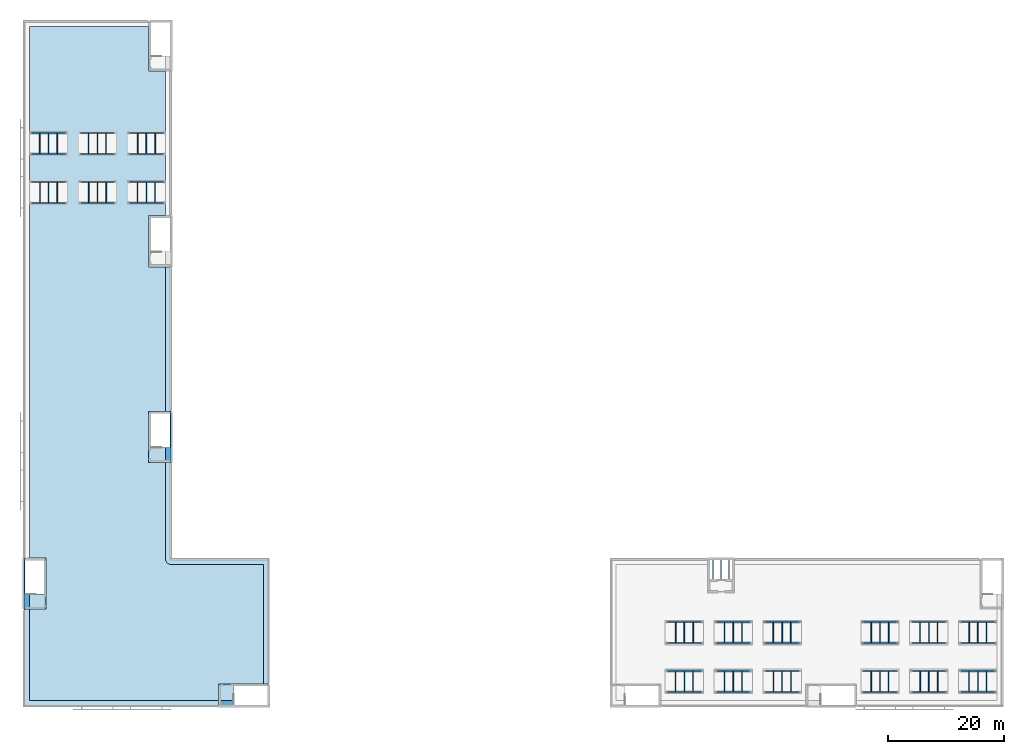
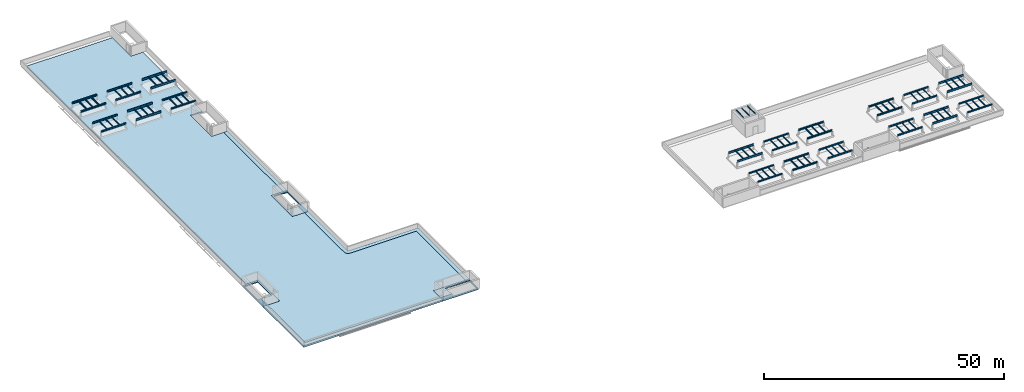
# One storey, part 8 of 18: 93 beams, 10 slabs.
"""IFC4 building model written with IfcOpenShell, lengths in metres."""

from ifc_helpers import new_model, si_unit, direction, frame, origin, origin_2d, place, context, subcontext, project, spatial, polyline, i_section, outline, extrude, material, layer, layer_set, material_profile, profile_set, type_object, element, save


model = new_model("IFC4")

# Units and contexts
model_context = context("Model", 3, precision=1e-05, world=origin(), true_north=direction((0.0, 1.0)))
body_context = subcontext(model_context, "Body", "Model", "MODEL_VIEW")
ifc_project = project(units=[si_unit("LENGTHUNIT", "METRE"), si_unit("AREAUNIT", "SQUARE_METRE"), si_unit("VOLUMEUNIT", "CUBIC_METRE"), si_unit("PLANEANGLEUNIT", "RADIAN"), si_unit("MASSUNIT", "GRAM", prefix="KILO")], contexts=[model_context])

# Site, building, storey
site_placement = place(None, origin())
site = spatial("IfcSite", under=ifc_project, at=site_placement, CompositionType="ELEMENT")
building_placement = place(site_placement, origin())
building = spatial("IfcBuilding", under=site, at=building_placement, Name="Yavir Park General Hospital", CompositionType="ELEMENT")
storey_placement = place(building_placement, frame((0.0, 0.0, 29.699951171875)))
storey = spatial("IfcBuildingStorey", under=building, at=storey_placement, Name="RF", CompositionType="ELEMENT", Elevation=29.699951171875)

# Beams
ifc_material_1 = material(Name="Steel S355", Category="steel")
ifc_material_profile_1 = material_profile(ifc_material_1, i_section(OverallWidth=0.280029296875, OverallDepth=0.27001953125, WebThickness=0.008056640625, FlangeThickness=0.012939453125, FilletRadius=0.02392578125, at=origin_2d()), Name="HEA280")
ifc_profile_set_1 = profile_set([ifc_material_profile_1], Name="Steel S355")
beam_type_1 = type_object("IfcBeamType", Name="HEA 280 platform beam", PredefinedType="BEAM", material=ifc_profile_set_1)
for number, where, z_axis, x_axis, name in (
    (1, (160.800048828125, 2.39990234375, 1.53515625), (1.0, 0.0, 0.0), (0.0, 1.0, 0.0), "B:PF:PP120A:M0"),
    (2, (160.800048828125, 6.0, 1.53515625), (1.0, 0.0, 0.0), (0.0, 1.0, 0.0), "B:PF:PP120A:M1"),
    (3, (110.39990234375, 2.39990234375, 1.53515625), (1.0, 0.0, 0.0), (0.0, 1.0, 0.0), "B:PF:PP214A:M0"),
    (4, (110.39990234375, 6.0, 1.53515625), (1.0, 0.0, 0.0), (0.0, 1.0, 0.0), "B:PF:PP214A:M1"),
    (5, (118.800048828125, 10.800048828125, 1.53515625), (1.0, 0.0, 0.0), (0.0, 1.0, 0.0), "B:PF:PP215B:M0"),
    (6, (118.800048828125, 14.39990234375, 1.53515625), (1.0, 0.0, 0.0), (0.0, 1.0, 0.0), "B:PF:PP215B:M1"),
    (7, (18.0, 86.39990234375, 1.53515625), (1.0, 0.0, 0.0), (0.0, 1.0, 0.0), "B:PF:PP33L:M0"),
    (8, (18.0, 90.0, 1.53515625), (1.0, 0.0, 0.0), (0.0, 1.0, 0.0), "B:PF:PP33L:M1"),
):
    element("IfcBeam", number, at=place(storey_placement, frame(where, z_axis=z_axis, x_axis=x_axis)), inside=storey, type_object=beam_type_1, Name=name, PredefinedType="BEAM", context=body_context, shape_type="SweptSolid", body=[
        extrude(i_section(OverallWidth=0.280029296875, OverallDepth=0.27001953125, WebThickness=0.008056640625, FlangeThickness=0.012939453125, FilletRadius=0.02392578125, at=origin_2d()), origin(), (0.0, 0.0, 1.0), 6.0),
    ])
ifc_material_2 = material(Name="Steel S355", Category="steel")
ifc_material_profile_2 = material_profile(ifc_material_2, i_section(OverallWidth=0.300048828125, OverallDepth=0.35009765625, WebThickness=0.010009765625, FlangeThickness=0.017578125, FilletRadius=0.027099609375, at=origin_2d()), Name="HEA360")
ifc_profile_set_2 = profile_set([ifc_material_profile_2], Name="Steel S355")
beam_type_2 = type_object("IfcBeamType", Name="HEA 360 platform beam", PredefinedType="BEAM", material=ifc_profile_set_2)
for number, where, z_axis, x_axis, name in (
    (9, (144.0, 10.800048828125, 1.5751953125), (1.0, 0.0, 0.0), (0.0, 1.0, 0.0), "B:PF:PP118B:M0"),
    (10, (144.0, 14.39990234375, 1.5751953125), (1.0, 0.0, 0.0), (0.0, 1.0, 0.0), "B:PF:PP118B:M1"),
    (11, (118.800048828125, 2.39990234375, 1.5751953125), (1.0, 0.0, 0.0), (0.0, 1.0, 0.0), "B:PF:PP215A:M0"),
    (12, (118.800048828125, 6.0, 1.5751953125), (1.0, 0.0, 0.0), (0.0, 1.0, 0.0), "B:PF:PP215A:M1"),
    (13, (127.199951171875, 10.800048828125, 1.5751953125), (1.0, 0.0, 0.0), (0.0, 1.0, 0.0), "B:PF:PP216B:M0"),
    (14, (127.199951171875, 14.39990234375, 1.5751953125), (1.0, 0.0, 0.0), (0.0, 1.0, 0.0), "B:PF:PP216B:M1"),
    (15, (1.199951171875, 94.800048828125, 1.5751953125), (1.0, 0.0, 0.0), (0.0, 1.0, 0.0), "B:PF:PP31M:M0"),
    (16, (1.199951171875, 98.39990234375, 1.5751953125), (1.0, 0.0, 0.0), (0.0, 1.0, 0.0), "B:PF:PP31M:M1"),
):
    element("IfcBeam", number, at=place(storey_placement, frame(where, z_axis=z_axis, x_axis=x_axis)), inside=storey, type_object=beam_type_2, Name=name, PredefinedType="BEAM", context=body_context, shape_type="SweptSolid", body=[
        extrude(i_section(OverallWidth=0.300048828125, OverallDepth=0.35009765625, WebThickness=0.010009765625, FlangeThickness=0.017578125, FilletRadius=0.027099609375, at=origin_2d()), origin(), (0.0, 0.0, 1.0), 6.0),
    ])
ifc_material_3 = material(Name="Steel S355", Category="steel")
ifc_material_profile_3 = material_profile(ifc_material_3, i_section(OverallWidth=0.091064453125, OverallDepth=0.179931640625, WebThickness=0.00537109375, FlangeThickness=0.008056640625, FilletRadius=0.009033203125, at=origin_2d()), Name="IPE180")
ifc_profile_set_3 = profile_set([ifc_material_profile_3], Name="Steel S355")
beam_type_3 = type_object("IfcBeamType", Name="IPE 180 platform joist", PredefinedType="JOIST", material=ifc_profile_set_3)
for number, where, z_axis, x_axis, name in (
    (17, (145.5, 2.489990234375, 1.710205078125), (0.0, 1.0, 0.0), (-1.0, 0.0, 0.0), "B:PF:PP118A:J1"),
    (18, (147.0, 2.489990234375, 1.710205078125), (0.0, 1.0, 0.0), (-1.0, 0.0, 0.0), "B:PF:PP118A:J2"),
    (19, (148.5, 2.489990234375, 1.710205078125), (0.0, 1.0, 0.0), (-1.0, 0.0, 0.0), "B:PF:PP118A:J3"),
):
    element("IfcBeam", number, at=place(storey_placement, frame(where, z_axis=z_axis, x_axis=x_axis)), inside=storey, type_object=beam_type_3, Name=name, PredefinedType="JOIST", context=body_context, shape_type="SweptSolid", body=[
        extrude(i_section(OverallWidth=0.091064453125, OverallDepth=0.179931640625, WebThickness=0.00537109375, FlangeThickness=0.008056640625, FilletRadius=0.009033203125, at=origin_2d()), origin(), (0.0, 0.0, 1.0), 3.419921875),
    ])
for number, where, z_axis, x_axis, name in (
    (20, (153.89990234375, 10.889892578125, 1.710205078125), (0.0, 1.0, 0.0), (-1.0, 0.0, 0.0), "B:PF:PP119B:J1"),
    (21, (155.39990234375, 10.889892578125, 1.710205078125), (0.0, 1.0, 0.0), (-1.0, 0.0, 0.0), "B:PF:PP119B:J2"),
    (22, (156.89990234375, 10.889892578125, 1.710205078125), (0.0, 1.0, 0.0), (-1.0, 0.0, 0.0), "B:PF:PP119B:J3"),
):
    element("IfcBeam", number, at=place(storey_placement, frame(where, z_axis=z_axis, x_axis=x_axis)), inside=storey, type_object=beam_type_3, Name=name, PredefinedType="JOIST", context=body_context, shape_type="SweptSolid", body=[
        extrude(i_section(OverallWidth=0.091064453125, OverallDepth=0.179931640625, WebThickness=0.00537109375, FlangeThickness=0.008056640625, FilletRadius=0.009033203125, at=origin_2d()), origin(), (0.0, 0.0, 1.0), 3.420166015625),
    ])
for number, where, z_axis, x_axis, name in (
    (23, (128.699951171875, 2.489990234375, 1.710205078125), (0.0, 1.0, 0.0), (-1.0, 0.0, 0.0), "B:PF:PP216A:J1"),
    (24, (130.199951171875, 2.489990234375, 1.710205078125), (0.0, 1.0, 0.0), (-1.0, 0.0, 0.0), "B:PF:PP216A:J2"),
    (25, (131.699951171875, 2.489990234375, 1.710205078125), (0.0, 1.0, 0.0), (-1.0, 0.0, 0.0), "B:PF:PP216A:J3"),
    (26, (2.699951171875, 86.489990234375, 1.710205078125), (0.0, 1.0, 0.0), (-1.0, 0.0, 0.0), "B:PF:PP31L:J1"),
    (27, (4.199951171875, 86.489990234375, 1.710205078125), (0.0, 1.0, 0.0), (-1.0, 0.0, 0.0), "B:PF:PP31L:J2"),
    (28, (5.699951171875, 86.489990234375, 1.710205078125), (0.0, 1.0, 0.0), (-1.0, 0.0, 0.0), "B:PF:PP31L:J3"),
):
    element("IfcBeam", number, at=place(storey_placement, frame(where, z_axis=z_axis, x_axis=x_axis)), inside=storey, type_object=beam_type_3, Name=name, PredefinedType="JOIST", context=body_context, shape_type="SweptSolid", body=[
        extrude(i_section(OverallWidth=0.091064453125, OverallDepth=0.179931640625, WebThickness=0.00537109375, FlangeThickness=0.008056640625, FilletRadius=0.009033203125, at=origin_2d()), origin(), (0.0, 0.0, 1.0), 3.419921875),
    ])
for number, where, z_axis, x_axis, name in (
    (29, (11.10009765625, 94.889892578125, 1.710205078125), (0.0, 1.0, 0.0), (-1.0, 0.0, 0.0), "B:PF:PP32M:J1"),
    (30, (12.60009765625, 94.889892578125, 1.710205078125), (0.0, 1.0, 0.0), (-1.0, 0.0, 0.0), "B:PF:PP32M:J2"),
    (31, (14.10009765625, 94.889892578125, 1.710205078125), (0.0, 1.0, 0.0), (-1.0, 0.0, 0.0), "B:PF:PP32M:J3"),
):
    element("IfcBeam", number, at=place(storey_placement, frame(where, z_axis=z_axis, x_axis=x_axis)), inside=storey, type_object=beam_type_3, Name=name, PredefinedType="JOIST", context=body_context, shape_type="SweptSolid", body=[
        extrude(i_section(OverallWidth=0.091064453125, OverallDepth=0.179931640625, WebThickness=0.00537109375, FlangeThickness=0.008056640625, FilletRadius=0.009033203125, at=origin_2d()), origin(), (0.0, 0.0, 1.0), 3.420166015625),
    ])
ifc_material_4 = material(Name="Steel S355", Category="steel")
ifc_material_profile_4 = material_profile(ifc_material_4, i_section(OverallWidth=0.10009765625, OverallDepth=0.199951171875, WebThickness=0.005615234375, FlangeThickness=0.008544921875, FilletRadius=0.011962890625, at=origin_2d()), Name="IPE200")
ifc_profile_set_4 = profile_set([ifc_material_profile_4], Name="Steel S355")
beam_type_4 = type_object("IfcBeamType", Name="IPE 200 lift hoist beam", PredefinedType="BEAM", material=ifc_profile_set_4)
beam_placement = place(storey_placement, frame((119.699951171875, 21.800048828125, 3.300048828125), z_axis=(0.0, 1.0, 0.0), x_axis=(-1.0, 0.0, 0.0)))
element("IfcBeam", 32, at=beam_placement, inside=storey, type_object=beam_type_4, Name="B:HOIST:SL1", PredefinedType="BEAM", context=body_context, shape_type="SweptSolid", body=[
    extrude(i_section(OverallWidth=0.10009765625, OverallDepth=0.199951171875, WebThickness=0.005615234375, FlangeThickness=0.008544921875, FilletRadius=0.011962890625, at=origin_2d()), origin(), (0.0, 0.0, 1.0), 3.25),
])
ifc_material_5 = material(Name="Steel S355", Category="steel")
ifc_material_profile_5 = material_profile(ifc_material_5, i_section(OverallWidth=0.10009765625, OverallDepth=0.199951171875, WebThickness=0.005615234375, FlangeThickness=0.008544921875, FilletRadius=0.011962890625, at=origin_2d()), Name="IPE200")
ifc_profile_set_5 = profile_set([ifc_material_profile_5], Name="Steel S355")
beam_type_5 = type_object("IfcBeamType", Name="IPE 200 lift machine beam", PredefinedType="BEAM", material=ifc_profile_set_5)
for number, where, z_axis, x_axis, name in (
    (33, (118.300048828125, 21.800048828125, 3.300048828125), (0.0, 1.0, 0.0), (-1.0, 0.0, 0.0), "B:MACH:SL1:0"),
    (34, (121.10009765625, 21.800048828125, 3.300048828125), (0.0, 1.0, 0.0), (-1.0, 0.0, 0.0), "B:MACH:SL1:1"),
):
    element("IfcBeam", number, at=place(storey_placement, frame(where, z_axis=z_axis, x_axis=x_axis)), inside=storey, type_object=beam_type_5, Name=name, PredefinedType="BEAM", context=body_context, shape_type="SweptSolid", body=[
        extrude(i_section(OverallWidth=0.10009765625, OverallDepth=0.199951171875, WebThickness=0.005615234375, FlangeThickness=0.008544921875, FilletRadius=0.011962890625, at=origin_2d()), origin(), (0.0, 0.0, 1.0), 3.25),
    ])
ifc_material_6 = material(Name="Steel S355", Category="steel")
ifc_material_profile_6 = material_profile(ifc_material_6, i_section(OverallWidth=0.10009765625, OverallDepth=0.199951171875, WebThickness=0.005615234375, FlangeThickness=0.008544921875, FilletRadius=0.011962890625, at=origin_2d()), Name="IPE200")
ifc_profile_set_6 = profile_set([ifc_material_profile_6], Name="Steel S355")
beam_type_6 = type_object("IfcBeamType", Name="IPE 200 platform joist", PredefinedType="JOIST", material=ifc_profile_set_6)
for number, where, z_axis, x_axis, name in (
    (35, (162.300048828125, 2.5400390625, 1.570068359375), (0.0, 1.0, 0.0), (-1.0, 0.0, 0.0), "B:PF:PP120A:J1"),
    (36, (163.800048828125, 2.5400390625, 1.570068359375), (0.0, 1.0, 0.0), (-1.0, 0.0, 0.0), "B:PF:PP120A:J2"),
    (37, (165.300048828125, 2.5400390625, 1.570068359375), (0.0, 1.0, 0.0), (-1.0, 0.0, 0.0), "B:PF:PP120A:J3"),
    (38, (111.89990234375, 2.5400390625, 1.570068359375), (0.0, 1.0, 0.0), (-1.0, 0.0, 0.0), "B:PF:PP214A:J1"),
    (39, (113.39990234375, 2.5400390625, 1.570068359375), (0.0, 1.0, 0.0), (-1.0, 0.0, 0.0), "B:PF:PP214A:J2"),
    (40, (114.89990234375, 2.5400390625, 1.570068359375), (0.0, 1.0, 0.0), (-1.0, 0.0, 0.0), "B:PF:PP214A:J3"),
    (41, (120.300048828125, 10.93994140625, 1.570068359375), (0.0, 1.0, 0.0), (-1.0, 0.0, 0.0), "B:PF:PP215B:J1"),
    (42, (121.800048828125, 10.93994140625, 1.570068359375), (0.0, 1.0, 0.0), (-1.0, 0.0, 0.0), "B:PF:PP215B:J2"),
    (43, (123.300048828125, 10.93994140625, 1.570068359375), (0.0, 1.0, 0.0), (-1.0, 0.0, 0.0), "B:PF:PP215B:J3"),
    (44, (19.5, 86.5400390625, 1.570068359375), (0.0, 1.0, 0.0), (-1.0, 0.0, 0.0), "B:PF:PP33L:J1"),
    (45, (21.0, 86.5400390625, 1.570068359375), (0.0, 1.0, 0.0), (-1.0, 0.0, 0.0), "B:PF:PP33L:J2"),
    (46, (22.5, 86.5400390625, 1.570068359375), (0.0, 1.0, 0.0), (-1.0, 0.0, 0.0), "B:PF:PP33L:J3"),
):
    element("IfcBeam", number, at=place(storey_placement, frame(where, z_axis=z_axis, x_axis=x_axis)), inside=storey, type_object=beam_type_6, Name=name, PredefinedType="JOIST", context=body_context, shape_type="SweptSolid", body=[
        extrude(i_section(OverallWidth=0.10009765625, OverallDepth=0.199951171875, WebThickness=0.005615234375, FlangeThickness=0.008544921875, FilletRadius=0.011962890625, at=origin_2d()), origin(), (0.0, 0.0, 1.0), 3.320068359375),
    ])
ifc_material_7 = material(Name="Steel S355", Category="steel")
ifc_material_profile_7 = material_profile(ifc_material_7, i_section(OverallWidth=0.14990234375, OverallDepth=0.300048828125, WebThickness=0.007080078125, FlangeThickness=0.0107421875, FilletRadius=0.014892578125, at=origin_2d()), Name="IPE300")
ifc_profile_set_7 = profile_set([ifc_material_profile_7], Name="Steel S355")
beam_type_7 = type_object("IfcBeamType", Name="IPE 300 platform joist", PredefinedType="JOIST", material=ifc_profile_set_7)
for number, where, z_axis, x_axis, name in (
    (47, (153.89990234375, 2.5, 1.750244140625), (0.0, 1.0, 0.0), (-1.0, 0.0, 0.0), "B:PF:PP119A:J1"),
    (48, (155.39990234375, 2.5, 1.750244140625), (0.0, 1.0, 0.0), (-1.0, 0.0, 0.0), "B:PF:PP119A:J2"),
    (49, (156.89990234375, 2.5, 1.750244140625), (0.0, 1.0, 0.0), (-1.0, 0.0, 0.0), "B:PF:PP119A:J3"),
):
    element("IfcBeam", number, at=place(storey_placement, frame(where, z_axis=z_axis, x_axis=x_axis)), inside=storey, type_object=beam_type_7, Name=name, PredefinedType="JOIST", context=body_context, shape_type="SweptSolid", body=[
        extrude(i_section(OverallWidth=0.14990234375, OverallDepth=0.300048828125, WebThickness=0.007080078125, FlangeThickness=0.0107421875, FilletRadius=0.014892578125, at=origin_2d()), origin(), (0.0, 0.0, 1.0), 3.39990234375),
    ])
for number, where, z_axis, x_axis, name in (
    (50, (162.300048828125, 10.89990234375, 1.750244140625), (0.0, 1.0, 0.0), (-1.0, 0.0, 0.0), "B:PF:PP120B:J1"),
    (51, (163.800048828125, 10.89990234375, 1.750244140625), (0.0, 1.0, 0.0), (-1.0, 0.0, 0.0), "B:PF:PP120B:J2"),
    (52, (165.300048828125, 10.89990234375, 1.750244140625), (0.0, 1.0, 0.0), (-1.0, 0.0, 0.0), "B:PF:PP120B:J3"),
    (53, (111.89990234375, 10.89990234375, 1.750244140625), (0.0, 1.0, 0.0), (-1.0, 0.0, 0.0), "B:PF:PP214B:J1"),
    (54, (113.39990234375, 10.89990234375, 1.750244140625), (0.0, 1.0, 0.0), (-1.0, 0.0, 0.0), "B:PF:PP214B:J2"),
    (55, (114.89990234375, 10.89990234375, 1.750244140625), (0.0, 1.0, 0.0), (-1.0, 0.0, 0.0), "B:PF:PP214B:J3"),
):
    element("IfcBeam", number, at=place(storey_placement, frame(where, z_axis=z_axis, x_axis=x_axis)), inside=storey, type_object=beam_type_7, Name=name, PredefinedType="JOIST", context=body_context, shape_type="SweptSolid", body=[
        extrude(i_section(OverallWidth=0.14990234375, OverallDepth=0.300048828125, WebThickness=0.007080078125, FlangeThickness=0.0107421875, FilletRadius=0.014892578125, at=origin_2d()), origin(), (0.0, 0.0, 1.0), 3.400146484375),
    ])
for number, where, z_axis, x_axis, name in (
    (56, (11.10009765625, 86.5, 1.750244140625), (0.0, 1.0, 0.0), (-1.0, 0.0, 0.0), "B:PF:PP32L:J1"),
    (57, (12.60009765625, 86.5, 1.750244140625), (0.0, 1.0, 0.0), (-1.0, 0.0, 0.0), "B:PF:PP32L:J2"),
    (58, (14.10009765625, 86.5, 1.750244140625), (0.0, 1.0, 0.0), (-1.0, 0.0, 0.0), "B:PF:PP32L:J3"),
):
    element("IfcBeam", number, at=place(storey_placement, frame(where, z_axis=z_axis, x_axis=x_axis)), inside=storey, type_object=beam_type_7, Name=name, PredefinedType="JOIST", context=body_context, shape_type="SweptSolid", body=[
        extrude(i_section(OverallWidth=0.14990234375, OverallDepth=0.300048828125, WebThickness=0.007080078125, FlangeThickness=0.0107421875, FilletRadius=0.014892578125, at=origin_2d()), origin(), (0.0, 0.0, 1.0), 3.39990234375),
    ])
for number, where, z_axis, x_axis, name in (
    (59, (19.5, 94.89990234375, 1.750244140625), (0.0, 1.0, 0.0), (-1.0, 0.0, 0.0), "B:PF:PP33M:J1"),
    (60, (21.0, 94.89990234375, 1.750244140625), (0.0, 1.0, 0.0), (-1.0, 0.0, 0.0), "B:PF:PP33M:J2"),
    (61, (22.5, 94.89990234375, 1.750244140625), (0.0, 1.0, 0.0), (-1.0, 0.0, 0.0), "B:PF:PP33M:J3"),
):
    element("IfcBeam", number, at=place(storey_placement, frame(where, z_axis=z_axis, x_axis=x_axis)), inside=storey, type_object=beam_type_7, Name=name, PredefinedType="JOIST", context=body_context, shape_type="SweptSolid", body=[
        extrude(i_section(OverallWidth=0.14990234375, OverallDepth=0.300048828125, WebThickness=0.007080078125, FlangeThickness=0.0107421875, FilletRadius=0.014892578125, at=origin_2d()), origin(), (0.0, 0.0, 1.0), 3.400146484375),
    ])
ifc_material_8 = material(Name="Steel S355", Category="steel")
ifc_material_profile_8 = material_profile(ifc_material_8, i_section(OverallWidth=0.159912109375, OverallDepth=0.330078125, WebThickness=0.007568359375, FlangeThickness=0.011474609375, FilletRadius=0.01806640625, at=origin_2d()), Name="IPE330")
ifc_profile_set_8 = profile_set([ifc_material_profile_8], Name="Steel S355")
beam_type_8 = type_object("IfcBeamType", Name="IPE 330 platform joist", PredefinedType="JOIST", material=ifc_profile_set_8)
for number, where, z_axis, x_axis, name in (
    (62, (145.5, 10.949951171875, 1.585205078125), (0.0, 1.0, 0.0), (-1.0, 0.0, 0.0), "B:PF:PP118B:J1"),
    (63, (147.0, 10.949951171875, 1.585205078125), (0.0, 1.0, 0.0), (-1.0, 0.0, 0.0), "B:PF:PP118B:J2"),
    (64, (148.5, 10.949951171875, 1.585205078125), (0.0, 1.0, 0.0), (-1.0, 0.0, 0.0), "B:PF:PP118B:J3"),
    (65, (120.300048828125, 2.550048828125, 1.585205078125), (0.0, 1.0, 0.0), (-1.0, 0.0, 0.0), "B:PF:PP215A:J1"),
    (66, (121.800048828125, 2.550048828125, 1.585205078125), (0.0, 1.0, 0.0), (-1.0, 0.0, 0.0), "B:PF:PP215A:J2"),
    (67, (123.300048828125, 2.550048828125, 1.585205078125), (0.0, 1.0, 0.0), (-1.0, 0.0, 0.0), "B:PF:PP215A:J3"),
    (68, (128.699951171875, 10.949951171875, 1.585205078125), (0.0, 1.0, 0.0), (-1.0, 0.0, 0.0), "B:PF:PP216B:J1"),
    (69, (130.199951171875, 10.949951171875, 1.585205078125), (0.0, 1.0, 0.0), (-1.0, 0.0, 0.0), "B:PF:PP216B:J2"),
    (70, (131.699951171875, 10.949951171875, 1.585205078125), (0.0, 1.0, 0.0), (-1.0, 0.0, 0.0), "B:PF:PP216B:J3"),
    (71, (2.699951171875, 94.949951171875, 1.585205078125), (0.0, 1.0, 0.0), (-1.0, 0.0, 0.0), "B:PF:PP31M:J1"),
    (72, (4.199951171875, 94.949951171875, 1.585205078125), (0.0, 1.0, 0.0), (-1.0, 0.0, 0.0), "B:PF:PP31M:J2"),
    (73, (5.699951171875, 94.949951171875, 1.585205078125), (0.0, 1.0, 0.0), (-1.0, 0.0, 0.0), "B:PF:PP31M:J3"),
):
    element("IfcBeam", number, at=place(storey_placement, frame(where, z_axis=z_axis, x_axis=x_axis)), inside=storey, type_object=beam_type_8, Name=name, PredefinedType="JOIST", context=body_context, shape_type="SweptSolid", body=[
        extrude(i_section(OverallWidth=0.159912109375, OverallDepth=0.330078125, WebThickness=0.007568359375, FlangeThickness=0.011474609375, FilletRadius=0.01806640625, at=origin_2d()), origin(), (0.0, 0.0, 1.0), 3.300048828125),
    ])
ifc_material_9 = material(Name="Steel S355", Category="steel")
ifc_material_profile_9 = material_profile(ifc_material_9, i_section(OverallWidth=0.179931640625, OverallDepth=0.39990234375, WebThickness=0.008544921875, FlangeThickness=0.013427734375, FilletRadius=0.02099609375, at=origin_2d()), Name="IPE400")
ifc_profile_set_9 = profile_set([ifc_material_profile_9], Name="Steel S355")
beam_type_9 = type_object("IfcBeamType", Name="IPE 400 platform beam", PredefinedType="BEAM", material=ifc_profile_set_9)
for number, where, z_axis, x_axis, name in (
    (74, (144.0, 2.39990234375, 1.60009765625), (1.0, 0.0, 0.0), (0.0, 1.0, 0.0), "B:PF:PP118A:M0"),
    (75, (144.0, 6.0, 1.60009765625), (1.0, 0.0, 0.0), (0.0, 1.0, 0.0), "B:PF:PP118A:M1"),
    (76, (152.39990234375, 10.800048828125, 1.60009765625), (1.0, 0.0, 0.0), (0.0, 1.0, 0.0), "B:PF:PP119B:M0"),
    (77, (152.39990234375, 14.39990234375, 1.60009765625), (1.0, 0.0, 0.0), (0.0, 1.0, 0.0), "B:PF:PP119B:M1"),
    (78, (127.199951171875, 2.39990234375, 1.60009765625), (1.0, 0.0, 0.0), (0.0, 1.0, 0.0), "B:PF:PP216A:M0"),
    (79, (127.199951171875, 6.0, 1.60009765625), (1.0, 0.0, 0.0), (0.0, 1.0, 0.0), "B:PF:PP216A:M1"),
    (80, (1.199951171875, 86.39990234375, 1.60009765625), (1.0, 0.0, 0.0), (0.0, 1.0, 0.0), "B:PF:PP31L:M0"),
    (81, (1.199951171875, 90.0, 1.60009765625), (1.0, 0.0, 0.0), (0.0, 1.0, 0.0), "B:PF:PP31L:M1"),
    (82, (9.60009765625, 94.800048828125, 1.60009765625), (1.0, 0.0, 0.0), (0.0, 1.0, 0.0), "B:PF:PP32M:M0"),
    (83, (9.60009765625, 98.39990234375, 1.60009765625), (1.0, 0.0, 0.0), (0.0, 1.0, 0.0), "B:PF:PP32M:M1"),
):
    element("IfcBeam", number, at=place(storey_placement, frame(where, z_axis=z_axis, x_axis=x_axis)), inside=storey, type_object=beam_type_9, Name=name, PredefinedType="BEAM", context=body_context, shape_type="SweptSolid", body=[
        extrude(i_section(OverallWidth=0.179931640625, OverallDepth=0.39990234375, WebThickness=0.008544921875, FlangeThickness=0.013427734375, FilletRadius=0.02099609375, at=origin_2d()), origin(), (0.0, 0.0, 1.0), 6.0),
    ])
ifc_material_10 = material(Name="Steel S355", Category="steel")
ifc_material_profile_10 = material_profile(ifc_material_10, i_section(OverallWidth=0.199951171875, OverallDepth=0.5, WebThickness=0.01025390625, FlangeThickness=0.01611328125, FilletRadius=0.02099609375, at=origin_2d()), Name="IPE500")
ifc_profile_set_10 = profile_set([ifc_material_profile_10], Name="Steel S355")
beam_type_10 = type_object("IfcBeamType", Name="IPE 500 platform beam", PredefinedType="BEAM", material=ifc_profile_set_10)
for number, where, z_axis, x_axis, name in (
    (84, (152.39990234375, 2.39990234375, 1.650146484375), (1.0, 0.0, 0.0), (0.0, 1.0, 0.0), "B:PF:PP119A:M0"),
    (85, (152.39990234375, 6.0, 1.650146484375), (1.0, 0.0, 0.0), (0.0, 1.0, 0.0), "B:PF:PP119A:M1"),
    (86, (160.800048828125, 10.800048828125, 1.650146484375), (1.0, 0.0, 0.0), (0.0, 1.0, 0.0), "B:PF:PP120B:M0"),
    (87, (160.800048828125, 14.39990234375, 1.650146484375), (1.0, 0.0, 0.0), (0.0, 1.0, 0.0), "B:PF:PP120B:M1"),
    (88, (110.39990234375, 10.800048828125, 1.650146484375), (1.0, 0.0, 0.0), (0.0, 1.0, 0.0), "B:PF:PP214B:M0"),
    (89, (110.39990234375, 14.39990234375, 1.650146484375), (1.0, 0.0, 0.0), (0.0, 1.0, 0.0), "B:PF:PP214B:M1"),
    (90, (9.60009765625, 86.39990234375, 1.650146484375), (1.0, 0.0, 0.0), (0.0, 1.0, 0.0), "B:PF:PP32L:M0"),
    (91, (9.60009765625, 90.0, 1.650146484375), (1.0, 0.0, 0.0), (0.0, 1.0, 0.0), "B:PF:PP32L:M1"),
    (92, (18.0, 94.800048828125, 1.650146484375), (1.0, 0.0, 0.0), (0.0, 1.0, 0.0), "B:PF:PP33M:M0"),
    (93, (18.0, 98.39990234375, 1.650146484375), (1.0, 0.0, 0.0), (0.0, 1.0, 0.0), "B:PF:PP33M:M1"),
):
    element("IfcBeam", number, at=place(storey_placement, frame(where, z_axis=z_axis, x_axis=x_axis)), inside=storey, type_object=beam_type_10, Name=name, PredefinedType="BEAM", context=body_context, shape_type="SweptSolid", body=[
        extrude(i_section(OverallWidth=0.199951171875, OverallDepth=0.5, WebThickness=0.01025390625, FlangeThickness=0.01611328125, FilletRadius=0.02099609375, at=origin_2d()), origin(), (0.0, 0.0, 1.0), 6.0),
    ])

# Slabs
ifc_material_11 = material(Name="Concrete C35/45", Category="concrete")
ifc_layer_1 = layer(ifc_material_11, 0.300048828125)
ifc_layer_set_1 = layer_set([ifc_layer_1], Name="Concrete C35/45")
slab_type_1 = type_object("IfcSlabType", Name="RC SLAB FLOOR 300", PredefinedType="FLOOR", material=ifc_layer_set_1)
slab_1_placement = place(storey_placement, frame((0.0, 0.0, -0.300048828125)))
element("IfcSlab", 94, at=slab_1_placement, inside=storey, type_object=slab_type_1, Name="Stair head-house floor SU1", PredefinedType="FLOOR", context=body_context, shape_type="SweptSolid", body=[
    extrude(outline(polyline([(0.89990234375, 25.39990234375), (0.89990234375, 25.0), (3.39990234375, 25.0), (3.39990234375, 19.201416015625), (1.64990234375, 19.201416015625), (1.64990234375, 19.3515625), (0.89990234375, 19.3515625), (0.89990234375, 16.60009765625), (3.800048828125, 16.60009765625), (3.800048828125, 25.39990234375), (0.89990234375, 25.39990234375)])), origin(), (0.0, 0.0, 1.0), 0.300048828125),
])
slab_2_placement = place(storey_placement, frame((0.0, 0.0, -0.300048828125)))
element("IfcSlab", 95, at=slab_2_placement, inside=storey, type_object=slab_type_1, Name="Stair head-house floor SU2", PredefinedType="FLOOR", context=body_context, shape_type="SweptSolid", body=[
    extrude(outline(polyline([(33.39990234375, 0.89990234375), (36.151611328125, 0.89990234375), (36.151611328125, 1.64990234375), (36.00146484375, 1.64990234375), (36.00146484375, 3.39990234375), (41.10009765625, 3.39990234375), (41.10009765625, 3.800048828125), (33.39990234375, 3.800048828125), (33.39990234375, 0.89990234375)])), origin(), (0.0, 0.0, 1.0), 0.300048828125),
])
slab_3_placement = place(storey_placement, frame((0.0, 0.0, -0.300048828125)))
element("IfcSlab", 96, at=slab_3_placement, inside=storey, type_object=slab_type_1, Name="Stair head-house floor SW1", PredefinedType="FLOOR", context=body_context, shape_type="SweptSolid", body=[
    extrude(outline(polyline([(24.300048828125, 41.800048828125), (24.300048828125, 44.401611328125), (23.199951171875, 44.401611328125), (23.199951171875, 44.551513671875), (21.800048828125, 44.551513671875), (21.800048828125, 50.199951171875), (24.300048828125, 50.199951171875), (24.300048828125, 50.60009765625), (21.39990234375, 50.60009765625), (21.39990234375, 41.800048828125), (24.300048828125, 41.800048828125)])), origin(), (0.0, 0.0, 1.0), 0.300048828125),
])
ifc_material_12 = material(Name="Concrete C35/45", Category="concrete")
ifc_layer_2 = layer(ifc_material_12, 0.39990234375)
ifc_layer_set_2 = layer_set([ifc_layer_2], Name="Concrete C35/45")
slab_type_2 = type_object("IfcSlabType", Name="RC SLAB FLOOR 400", PredefinedType="FLOOR", material=ifc_layer_set_2)
slab_4_placement = place(storey_placement, frame((0.0, 0.0, -0.400146484375)))
element("IfcSlab", 97, at=slab_4_placement, inside=storey, type_object=slab_type_2, Name="Stair head-house floor SU1", PredefinedType="FLOOR", context=body_context, shape_type="SweptSolid", body=[
    extrude(outline(polyline([(0.89990234375, 16.60009765625), (0.89990234375, 19.3515625), (0.14990234375, 19.3515625), (0.14990234375, 25.0), (0.89990234375, 25.0), (0.89990234375, 25.39990234375), (0.0, 25.39990234375), (0.0, 16.60009765625), (0.89990234375, 16.60009765625)])), origin(), (0.0, 0.0, 1.0), 0.400146484375),
])
slab_5_placement = place(storey_placement, frame((0.0, 0.0, -0.400146484375)))
element("IfcSlab", 98, at=slab_5_placement, inside=storey, type_object=slab_type_2, Name="Stair head-house floor SU2", PredefinedType="FLOOR", context=body_context, shape_type="SweptSolid", body=[
    extrude(outline(polyline([(41.10009765625, 3.800048828125), (41.10009765625, 3.39990234375), (41.800048828125, 3.39990234375), (41.800048828125, 0.14990234375), (36.151611328125, 0.14990234375), (36.151611328125, 0.89990234375), (33.39990234375, 0.89990234375), (33.39990234375, 0.0), (42.0, 0.0), (42.0, 3.800048828125), (41.10009765625, 3.800048828125)])), origin(), (0.0, 0.0, 1.0), 0.400146484375),
])
slab_6_placement = place(storey_placement, frame((0.0, 0.0, -0.400146484375)))
element("IfcSlab", 99, at=slab_6_placement, inside=storey, type_object=slab_type_2, Name="Stair head-house floor SW1", PredefinedType="FLOOR", context=body_context, shape_type="SweptSolid", body=[
    extrude(outline(polyline([(24.300048828125, 50.60009765625), (24.300048828125, 50.199951171875), (25.050048828125, 50.199951171875), (25.050048828125, 44.401611328125), (24.300048828125, 44.401611328125), (24.300048828125, 41.800048828125), (25.199951171875, 41.800048828125), (25.199951171875, 50.60009765625), (24.300048828125, 50.60009765625)])), origin(), (0.0, 0.0, 1.0), 0.400146484375),
])
ifc_material_13 = material(Name="Concrete C35/45", Category="concrete")
ifc_layer_3 = layer(ifc_material_13, 0.300048828125)
ifc_layer_set_3 = layer_set([ifc_layer_3], Name="Concrete C35/45")
slab_type_3 = type_object("IfcSlabType", Name="RC SLAB ROOF 300", PredefinedType="ROOF", material=ifc_layer_set_3)
slab_7_placement = place(storey_placement, frame((0.0, 0.0, -0.300048828125)))
element("IfcSlab", 100, at=slab_7_placement, inside=storey, type_object=slab_type_3, Name="RF:L06:0", PredefinedType="ROOF", context=body_context, shape_type="SweptSolid", body=[
    extrude(outline(polyline([(41.10009765625, 3.800048828125), (41.10009765625, 24.300048828125), (25.199951171875, 24.300048828125), (25.11181640625, 24.30419921875), (25.0244140625, 24.3173828125), (24.938720703125, 24.3388671875), (24.855712890625, 24.368408203125), (24.775634765625, 24.40625), (24.699951171875, 24.45166015625), (24.62890625, 24.50439453125), (24.563720703125, 24.563720703125), (24.50439453125, 24.62890625), (24.45166015625, 24.699951171875), (24.40625, 24.775634765625), (24.368408203125, 24.855712890625), (24.3388671875, 24.938720703125), (24.3173828125, 25.0244140625), (24.30419921875, 25.11181640625), (24.300048828125, 25.199951171875), (24.300048828125, 41.800048828125), (21.39990234375, 41.800048828125), (21.39990234375, 50.60009765625), (24.300048828125, 50.60009765625), (24.300048828125, 75.39990234375), (21.39990234375, 75.39990234375), (21.39990234375, 84.199951171875), (24.300048828125, 84.199951171875), (24.300048828125, 109.0), (21.39990234375, 109.0), (21.39990234375, 116.699951171875), (0.89990234375, 116.699951171875), (0.89990234375, 25.39990234375), (3.800048828125, 25.39990234375), (3.800048828125, 16.60009765625), (0.89990234375, 16.60009765625), (0.89990234375, 0.89990234375), (33.39990234375, 0.89990234375), (33.39990234375, 3.800048828125), (41.10009765625, 3.800048828125)])), origin(), (0.0, 0.0, 1.0), 0.300048828125),
])
ifc_material_14 = material(Name="Concrete C35/45", Category="concrete")
ifc_layer_4 = layer(ifc_material_14, 0.39990234375)
ifc_layer_set_4 = layer_set([ifc_layer_4], Name="Concrete C35/45")
slab_type_4 = type_object("IfcSlabType", Name="RC SLAB ROOF 400", PredefinedType="ROOF", material=ifc_layer_set_4)
slab_8_placement = place(storey_placement, frame((0.0, 0.0, -0.400146484375)))
element("IfcSlab", 101, at=slab_8_placement, inside=storey, type_object=slab_type_4, Name="RF:L06:2", PredefinedType="ROOF", context=body_context, shape_type="SweptSolid", body=[
    extrude(outline(polyline([(0.0, 0.0), (33.39990234375, 0.0), (33.39990234375, 0.89990234375), (0.89990234375, 0.89990234375), (0.89990234375, 16.60009765625), (0.0, 16.60009765625), (0.0, 0.0)])), origin(), (0.0, 0.0, 1.0), 0.400146484375),
])
slab_9_placement = place(storey_placement, frame((0.0, 0.0, -0.400146484375)))
element("IfcSlab", 102, at=slab_9_placement, inside=storey, type_object=slab_type_4, Name="RF:L06:5", PredefinedType="ROOF", context=body_context, shape_type="SweptSolid", body=[
    extrude(outline(polyline([(25.199951171875, 25.199951171875), (25.199951171875, 41.800048828125), (24.300048828125, 41.800048828125), (24.300048828125, 25.199951171875), (24.30419921875, 25.11181640625), (24.3173828125, 25.0244140625), (24.3388671875, 24.938720703125), (24.368408203125, 24.855712890625), (24.40625, 24.775634765625), (24.45166015625, 24.699951171875), (24.50439453125, 24.62890625), (24.563720703125, 24.563720703125), (24.62890625, 24.50439453125), (24.699951171875, 24.45166015625), (24.775634765625, 24.40625), (24.855712890625, 24.368408203125), (24.938720703125, 24.3388671875), (25.0244140625, 24.3173828125), (25.11181640625, 24.30419921875), (25.199951171875, 24.300048828125), (41.10009765625, 24.300048828125), (41.10009765625, 3.800048828125), (42.0, 3.800048828125), (42.0, 25.199951171875), (25.199951171875, 25.199951171875)])), origin(), (0.0, 0.0, 1.0), 0.400146484375),
])
slab_10_placement = place(storey_placement, frame((0.0, 0.0, -0.400146484375)))
element("IfcSlab", 103, at=slab_10_placement, inside=storey, type_object=slab_type_4, Name="RF:L06:8", PredefinedType="ROOF", context=body_context, shape_type="SweptSolid", body=[
    extrude(outline(polyline([(25.199951171875, 50.60009765625), (25.199951171875, 75.39990234375), (24.300048828125, 75.39990234375), (24.300048828125, 50.60009765625), (25.199951171875, 50.60009765625)])), origin(), (0.0, 0.0, 1.0), 0.400146484375),
])

save(model, "model.ifc")
